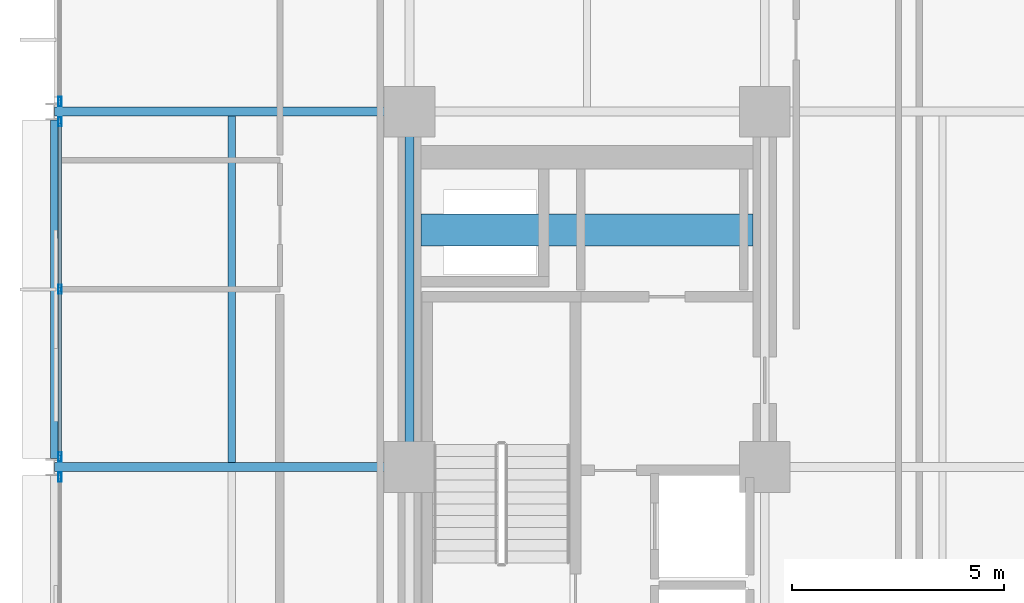
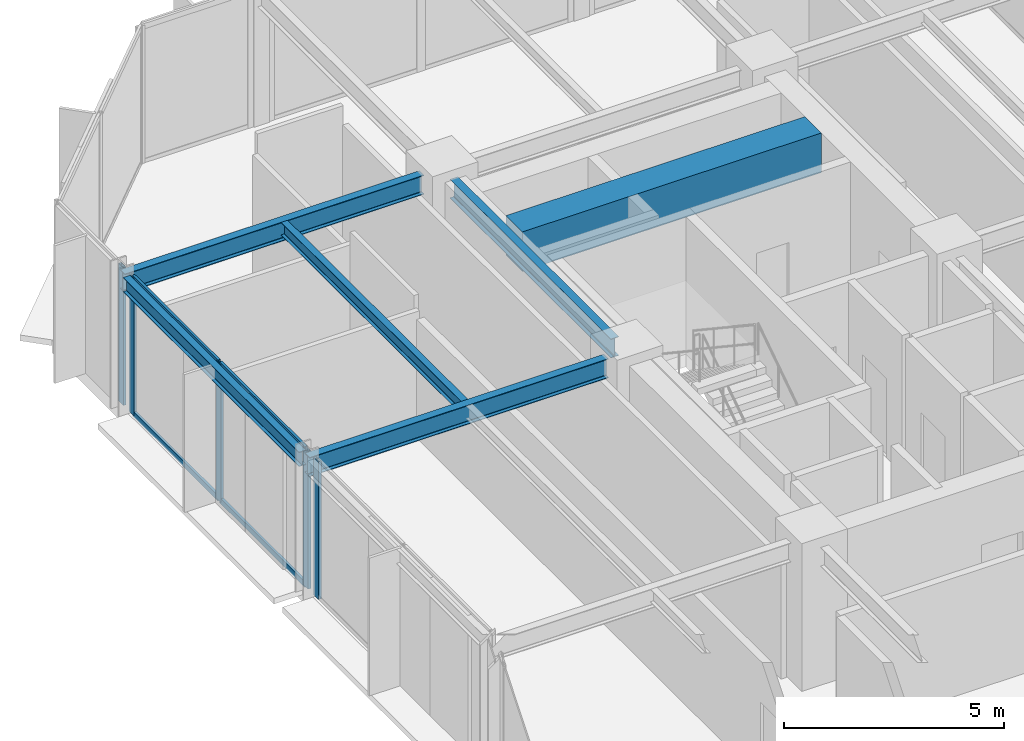
# One storey, part 12 of 25: 9 members, 6 beams, 3 elements without a shape of their own.
"""IFC4 building model written with IfcOpenShell, lengths in metres."""

from ifc_helpers import new_model, si_unit, direction, frame, origin, origin_2d, place, context, subcontext, project, spatial, rectangle, hollow_rectangle, i_section, extrude, material, layer, layer_set, material_profile, profile_set, type_object, element, aggregate, save


model = new_model("IFC4")

# Units and contexts
model_context = context("Model", 3, precision=1e-05, world=origin(), true_north=direction((0.0, 1.0)))
body_context = subcontext(model_context, "Body", "Model", "MODEL_VIEW")
ifc_project = project(units=[si_unit("LENGTHUNIT", "METRE"), si_unit("AREAUNIT", "SQUARE_METRE"), si_unit("VOLUMEUNIT", "CUBIC_METRE"), si_unit("PLANEANGLEUNIT", "RADIAN"), si_unit("MASSUNIT", "GRAM", prefix="KILO")], contexts=[model_context])

# Site, building, storey
site_placement = place(None, origin())
site = spatial("IfcSite", under=ifc_project, at=site_placement, CompositionType="ELEMENT")
building_placement = place(site_placement, origin())
building = spatial("IfcBuilding", under=site, at=building_placement, Name="Nerrivon Quay Data Exchange", CompositionType="ELEMENT")
storey_placement = place(building_placement, frame((0.0, 0.0, 113.10009765625)))
storey = spatial("IfcBuildingStorey", under=building, at=storey_placement, Name="L26", CompositionType="ELEMENT", Elevation=113.10009765625)

# Beams
ifc_material_1 = material(Name="Concrete S65 (65 MPa)", Category="concrete")
ifc_material_profile_1 = material_profile(ifc_material_1, rectangle(XDim=0.75, YDim=1.10009765625, at=origin_2d()), Name="RC-CB-750x1100")
ifc_profile_set_1 = profile_set([ifc_material_profile_1], Name="Concrete S65 (65 MPa)")
beam_type_1 = type_object("IfcBeamType", Name="BM-CB1-750x1100", PredefinedType="LINTEL", material=ifc_profile_set_1)
beam_1_placement = place(storey_placement, frame((8.675048828125, 39.199951171875, 3.27490234375), z_axis=(1.0, 0.0, 0.0), x_axis=(0.0, 1.0, 0.0)))
element("IfcBeam", 1, at=beam_1_placement, inside=storey, type_object=beam_type_1, Name="L26 West Core Coupling Beam", PredefinedType="LINTEL", context=body_context, shape_type="SweptSolid", body=[
    extrude(rectangle(XDim=0.75, YDim=1.10009765625, at=origin_2d()), origin(), (0.0, 0.0, 1.0), 7.849853515625),
])
ifc_material_2 = material(Name="Steel Grade 350", Category="steel")
ifc_material_profile_2 = material_profile(ifc_material_2, i_section(OverallWidth=0.208984375, OverallDepth=0.532958984375, WebThickness=0.01025390625, FlangeThickness=0.015625, FilletRadius=0.013916015625, at=origin_2d()), Name="530UB92.4")
ifc_profile_set_2 = profile_set([ifc_material_profile_2], Name="Steel Grade 350")
beam_type_2 = type_object("IfcBeamType", Name="BM-G3-530UB92", PredefinedType="BEAM", material=ifc_profile_set_2)
for number, where, z_axis, x_axis, name in (
    (2, (0.012451171875, 33.60009765625, 3.558349609375), (1.0, 0.0, 0.0), (0.0, 1.0, 0.0), "L26 EW Girder Y=33.6 (0.0..8.4)"),
    (3, (0.012451171875, 42.0, 3.558349609375), (1.0, 0.0, 0.0), (0.0, 1.0, 0.0), "L26 EW Girder Y=42.0 (0.0..8.4)"),
):
    element("IfcBeam", number, at=place(storey_placement, frame(where, z_axis=z_axis, x_axis=x_axis)), inside=storey, type_object=beam_type_2, Name=name, PredefinedType="BEAM", context=body_context, shape_type="SweptSolid", body=[
        extrude(i_section(OverallWidth=0.208984375, OverallDepth=0.532958984375, WebThickness=0.01025390625, FlangeThickness=0.015625, FilletRadius=0.013916015625, at=origin_2d()), origin(), (0.0, 0.0, 1.0), 7.84765625),
    ])
ifc_material_profile_3 = material_profile(ifc_material_2, i_section(OverallWidth=0.208984375, OverallDepth=0.528076171875, WebThickness=0.009521484375, FlangeThickness=0.01318359375, FilletRadius=0.013916015625, at=origin_2d()), Name="530UB82.0")
ifc_profile_set_3 = profile_set([ifc_material_profile_3], Name="Steel Grade 350")
beam_type_3 = type_object("IfcBeamType", Name="BM-G4-530UB82", PredefinedType="BEAM", material=ifc_profile_set_3)
beam_2_placement = place(storey_placement, frame((8.39990234375, 34.139892578125, 3.560791015625), z_axis=(0.0, 1.0, 0.0), x_axis=(-1.0, 0.0, 0.0)))
element("IfcBeam", 4, at=beam_2_placement, inside=storey, type_object=beam_type_3, Name="L26 NS Girder X=8.4 (33.6..42.0)", PredefinedType="BEAM", context=body_context, shape_type="SweptSolid", body=[
    extrude(i_section(OverallWidth=0.208984375, OverallDepth=0.528076171875, WebThickness=0.009521484375, FlangeThickness=0.01318359375, FilletRadius=0.013916015625, at=origin_2d()), origin(), (0.0, 0.0, 1.0), 7.320068359375),
])
ifc_material_profile_4 = material_profile(ifc_material_2, i_section(OverallWidth=0.1708984375, OverallDepth=0.35595703125, WebThickness=0.00732421875, FlangeThickness=0.011474609375, FilletRadius=0.011474609375, at=origin_2d()), Name="360UB50.7")
ifc_profile_set_4 = profile_set([ifc_material_profile_4], Name="Steel Grade 350")
beam_type_4 = type_object("IfcBeamType", Name="BM-J4-360UB51", PredefinedType="JOIST", material=ifc_profile_set_4)
beam_3_placement = place(storey_placement, frame((4.199951171875, 33.70458984375, 3.64697265625), z_axis=(0.0, 1.0, 0.0), x_axis=(-1.0, 0.0, 0.0)))
element("IfcBeam", 5, at=beam_3_placement, inside=storey, type_object=beam_type_4, Name="L26 Secondary Joist X=4.2 (33.6..42.0)", PredefinedType="JOIST", context=body_context, shape_type="SweptSolid", body=[
    extrude(i_section(OverallWidth=0.1708984375, OverallDepth=0.35595703125, WebThickness=0.00732421875, FlangeThickness=0.011474609375, FilletRadius=0.011474609375, at=origin_2d()), origin(), (0.0, 0.0, 1.0), 8.19091796875),
])
ifc_material_profile_5 = material_profile(ifc_material_2, i_section(OverallWidth=0.177978515625, OverallDepth=0.403076171875, WebThickness=0.007568359375, FlangeThickness=0.010986328125, FilletRadius=0.011474609375, at=origin_2d()), Name="410UB53.7")
ifc_profile_set_5 = profile_set([ifc_material_profile_5], Name="Steel Grade 350")
beam_type_5 = type_object("IfcBeamType", Name="BM-SP2-410UB54", PredefinedType="SPANDREL", material=ifc_profile_set_5)
beam_4_placement = place(storey_placement, frame((0.0, 33.800048828125, 3.623291015625), z_axis=(0.0, 1.0, 0.0), x_axis=(-1.0, 0.0, 0.0)))
element("IfcBeam", 6, at=beam_4_placement, inside=storey, type_object=beam_type_5, Name="L26 NS Girder X=0.0 (33.6..42.0)", PredefinedType="SPANDREL", context=body_context, shape_type="SweptSolid", body=[
    extrude(i_section(OverallWidth=0.177978515625, OverallDepth=0.403076171875, WebThickness=0.007568359375, FlangeThickness=0.010986328125, FilletRadius=0.011474609375, at=origin_2d()), origin(), (0.0, 0.0, 1.0), 8.0),
])

# Curtain wall, member
ifc_material_3 = material(Name="Anodised aluminium 6063-T6", Category="aluminium")
ifc_layer = layer(ifc_material_3, 0.22998046875)
ifc_layer_set = layer_set([ifc_layer], Name="Anodised aluminium 6063-T6")
curtain_wall_type = type_object("IfcCurtainWallType", Name="CW-SYS-05", PredefinedType="NOTDEFINED", material=ifc_layer_set)
curtain_wall_1_placement = place(storey_placement, origin())
curtain_wall_1 = element("IfcCurtainWall", 7, at=curtain_wall_1_placement, inside=storey, type_object=curtain_wall_type, Name="L26 Unitised Curtain Wall 15", PredefinedType="NOTDEFINED")
ifc_material_profile_6 = material_profile(ifc_material_3, hollow_rectangle(XDim=0.074951171875, YDim=0.219970703125, WallThickness=0.00390625, at=origin_2d()), Name="ALU-MULL-220x75")
ifc_profile_set_6 = profile_set([ifc_material_profile_6], Name="Anodised aluminium 6063-T6")
member_type_1 = type_object("IfcMemberType", Name="CWM-220x75", PredefinedType="MULLION", material=ifc_profile_set_6)
member_1_placement = place(storey_placement, frame((0.139892578125, 33.362548828125, 0.0), z_axis=(0.0, 0.0, 1.0), x_axis=(-1.0, 0.0, 0.0)))
member_1 = element("IfcMember", 8, at=member_1_placement, type_object=member_type_1, Name="CW05 mullion 3", PredefinedType="MULLION", context=body_context, shape_type="SweptSolid", body=[
    extrude(hollow_rectangle(XDim=0.074951171875, YDim=0.219970703125, WallThickness=0.00390625, at=origin_2d()), origin(), (0.0, 0.0, 1.0), 3.824951171875),
])
aggregate(curtain_wall_1, [member_1])

# Curtain wall, members
curtain_wall_2_placement = place(storey_placement, origin())
curtain_wall_2 = element("IfcCurtainWall", 9, at=curtain_wall_2_placement, inside=storey, type_object=curtain_wall_type, Name="L26 Unitised Curtain Wall 16", PredefinedType="NOTDEFINED")
member_2_placement = place(storey_placement, frame((0.139892578125, 33.83740234375, 0.0), z_axis=(0.0, 0.0, 1.0), x_axis=(-1.0, 0.0, 0.0)))
member_2 = element("IfcMember", 10, at=member_2_placement, type_object=member_type_1, Name="CW05 mullion 1", PredefinedType="MULLION", context=body_context, shape_type="SweptSolid", body=[
    extrude(hollow_rectangle(XDim=0.074951171875, YDim=0.219970703125, WallThickness=0.00390625, at=origin_2d()), origin(), (0.0, 0.0, 1.0), 3.824951171875),
])
member_3_placement = place(storey_placement, frame((0.139892578125, 37.800048828125, 0.0), z_axis=(0.0, 0.0, 1.0), x_axis=(-1.0, 0.0, 0.0)))
member_3 = element("IfcMember", 11, at=member_3_placement, type_object=member_type_1, Name="CW05 mullion 2", PredefinedType="MULLION", context=body_context, shape_type="SweptSolid", body=[
    extrude(hollow_rectangle(XDim=0.074951171875, YDim=0.219970703125, WallThickness=0.00390625, at=origin_2d()), origin(), (0.0, 0.0, 1.0), 3.824951171875),
])
member_4_placement = place(storey_placement, frame((0.139892578125, 41.762451171875, 0.0), z_axis=(0.0, 0.0, 1.0), x_axis=(-1.0, 0.0, 0.0)))
member_4 = element("IfcMember", 12, at=member_4_placement, type_object=member_type_1, Name="CW05 mullion 3", PredefinedType="MULLION", context=body_context, shape_type="SweptSolid", body=[
    extrude(hollow_rectangle(XDim=0.074951171875, YDim=0.219970703125, WallThickness=0.00390625, at=origin_2d()), origin(), (0.0, 0.0, 1.0), 3.824951171875),
])

# Curtain wall, member
curtain_wall_3_placement = place(storey_placement, origin())
curtain_wall_3 = element("IfcCurtainWall", 13, at=curtain_wall_3_placement, inside=storey, type_object=curtain_wall_type, Name="L26 Unitised Curtain Wall 17", PredefinedType="NOTDEFINED")
member_5_placement = place(storey_placement, frame((0.139892578125, 42.237548828125, 0.0), z_axis=(0.0, 0.0, 1.0), x_axis=(-1.0, 0.0, 0.0)))
member_5 = element("IfcMember", 14, at=member_5_placement, type_object=member_type_1, Name="CW05 mullion 1", PredefinedType="MULLION", context=body_context, shape_type="SweptSolid", body=[
    extrude(hollow_rectangle(XDim=0.074951171875, YDim=0.219970703125, WallThickness=0.00390625, at=origin_2d()), origin(), (0.0, 0.0, 1.0), 3.824951171875),
])
aggregate(curtain_wall_3, [member_5])

# Member
ifc_material_profile_7 = material_profile(ifc_material_3, hollow_rectangle(XDim=0.06494140625, YDim=0.14990234375, WallThickness=0.00341796875, at=origin_2d()), Name="ALU-TRAN-150x65")
ifc_profile_set_7 = profile_set([ifc_material_profile_7], Name="Anodised aluminium 6063-T6")
member_type_2 = type_object("IfcMemberType", Name="CWT-150x65", PredefinedType="USERDEFINED", material=ifc_profile_set_7)
member_6_placement = place(storey_placement, frame((0.139892578125, 33.875, 0.032470703125), z_axis=(0.0, 1.0, 0.0), x_axis=(-1.0, 0.0, 0.0)))
member_6 = element("IfcMember", 15, at=member_6_placement, type_object=member_type_2, Name="CW05 transom 1.1", ObjectType="TRANSOM", PredefinedType="USERDEFINED", context=body_context, shape_type="SweptSolid", body=[
    extrude(hollow_rectangle(XDim=0.06494140625, YDim=0.14990234375, WallThickness=0.00341796875, at=origin_2d()), origin(), (0.0, 0.0, 1.0), 3.887451171875),
])

member_7_placement = place(storey_placement, frame((0.139892578125, 33.875, 3.79248046875), z_axis=(0.0, 1.0, 0.0), x_axis=(-1.0, 0.0, 0.0)))
member_7 = element("IfcMember", 16, at=member_7_placement, type_object=member_type_2, Name="CW05 transom 1.2", ObjectType="TRANSOM", PredefinedType="USERDEFINED", context=body_context, shape_type="SweptSolid", body=[
    extrude(hollow_rectangle(XDim=0.06494140625, YDim=0.14990234375, WallThickness=0.00341796875, at=origin_2d()), origin(), (0.0, 0.0, 1.0), 3.887451171875),
])

member_8_placement = place(storey_placement, frame((0.139892578125, 37.83740234375, 0.032470703125), z_axis=(0.0, 1.0, 0.0), x_axis=(-1.0, 0.0, 0.0)))
member_8 = element("IfcMember", 17, at=member_8_placement, type_object=member_type_2, Name="CW05 transom 2.1", ObjectType="TRANSOM", PredefinedType="USERDEFINED", context=body_context, shape_type="SweptSolid", body=[
    extrude(hollow_rectangle(XDim=0.06494140625, YDim=0.14990234375, WallThickness=0.00341796875, at=origin_2d()), origin(), (0.0, 0.0, 1.0), 3.8876953125),
])

member_9_placement = place(storey_placement, frame((0.139892578125, 37.83740234375, 3.79248046875), z_axis=(0.0, 1.0, 0.0), x_axis=(-1.0, 0.0, 0.0)))
member_9 = element("IfcMember", 18, at=member_9_placement, type_object=member_type_2, Name="CW05 transom 2.2", ObjectType="TRANSOM", PredefinedType="USERDEFINED", context=body_context, shape_type="SweptSolid", body=[
    extrude(hollow_rectangle(XDim=0.06494140625, YDim=0.14990234375, WallThickness=0.00341796875, at=origin_2d()), origin(), (0.0, 0.0, 1.0), 3.8876953125),
])

aggregate(curtain_wall_2, [member_2, member_3, member_4, member_6, member_7, member_8, member_9])

save(model, "model.ifc")
